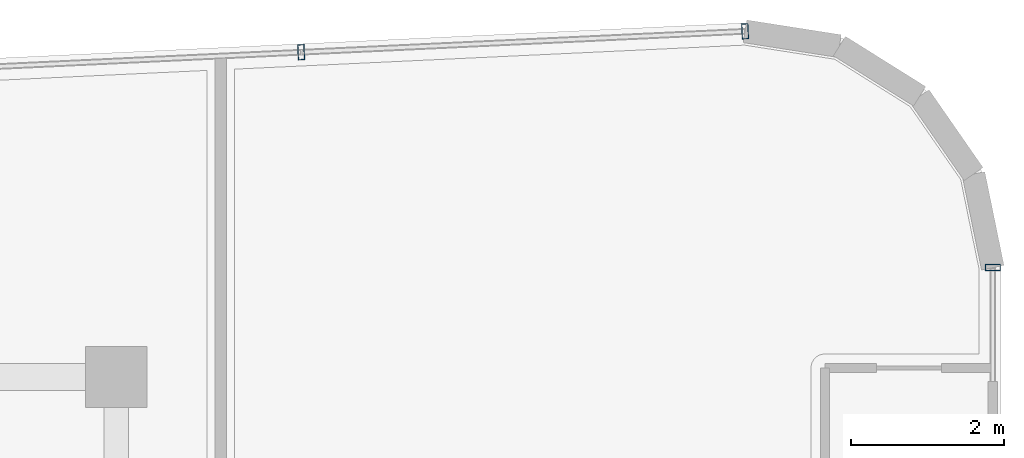
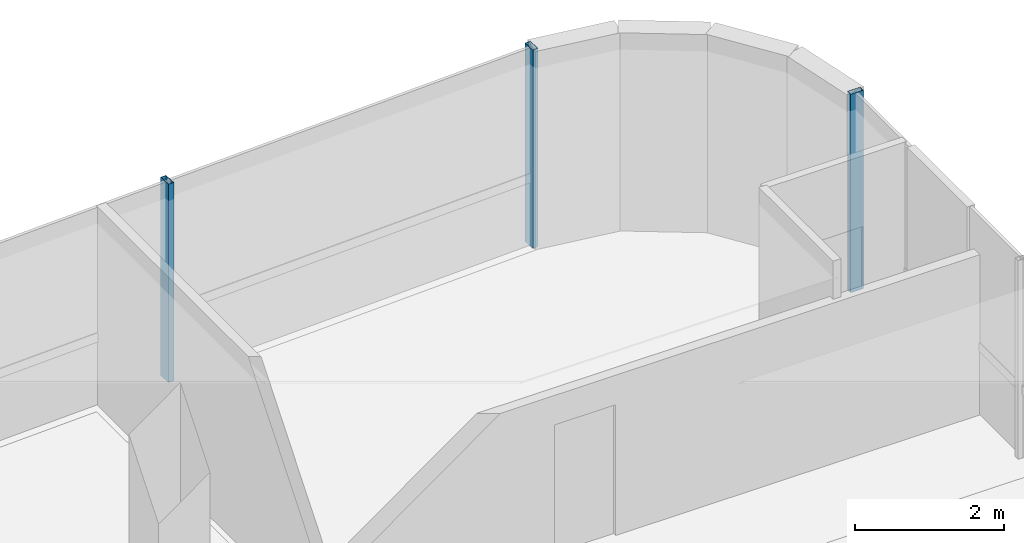
# One storey, part 12 of 20: 3 members, 2 elements without a shape of their own.
"""IFC4 building model written with IfcOpenShell, lengths in metres."""

from ifc_helpers import new_model, si_unit, direction, frame, origin, origin_2d, place, context, subcontext, project, spatial, hollow_rectangle, extrude, source, transform, mapped, material, material_profile, profile_set, type_object, element, aggregate, save


model = new_model("IFC4")

# Units and contexts
model_context = context("Model", 3, precision=1e-05, world=origin(), true_north=direction((0.0, 1.0)))
body_context = subcontext(model_context, "Body", "Model", "MODEL_VIEW")
ifc_project = project(units=[si_unit("LENGTHUNIT", "METRE"), si_unit("AREAUNIT", "SQUARE_METRE"), si_unit("VOLUMEUNIT", "CUBIC_METRE"), si_unit("PLANEANGLEUNIT", "RADIAN"), si_unit("MASSUNIT", "GRAM", prefix="KILO")], contexts=[model_context])

# Site, building, storey
site_placement = place(None, origin())
site = spatial("IfcSite", under=ifc_project, at=site_placement, CompositionType="ELEMENT")
building_placement = place(site_placement, origin())
building = spatial("IfcBuilding", under=site, at=building_placement, Name="Valdorenza Pilgrim Sanctuary Tower", CompositionType="ELEMENT")
storey_placement = place(building_placement, frame((0.0, 0.0, 244.0)))
storey = spatial("IfcBuildingStorey", under=building, at=storey_placement, Name="L63", CompositionType="ELEMENT", Elevation=244.0)

# Curtain wall, members
ifc_material_1 = material(Name="Curtain-wall IGU glazing", Category="glass")
curtain_wall_type = type_object("IfcCurtainWallType", Name="CW-SYS-02", PredefinedType="NOTDEFINED", material=ifc_material_1)
curtain_wall_1_placement = place(storey_placement, origin())
curtain_wall_1 = element("IfcCurtainWall", 1, at=curtain_wall_1_placement, inside=storey, type_object=curtain_wall_type, Name="L63 Curtain Wall CW-L63-1-6", PredefinedType="NOTDEFINED")
ifc_material_2 = material(Name="Anodised aluminium AW-6060", Category="aluminium")
ifc_material_profile = material_profile(ifc_material_2, hollow_rectangle(XDim=0.0849609375, YDim=0.199951171875, WallThickness=0.0048828125, at=origin_2d()), Name="ALU-M 200x85x5")
ifc_profile_set = profile_set([ifc_material_profile], Name="Anodised aluminium AW-6060")
member_type = type_object("IfcMemberType", Name="CW-MUL-02", PredefinedType="MULLION", material=ifc_profile_set)
shared_shape = source(origin(), body_context, "Body", "SweptSolid", [
    extrude(hollow_rectangle(XDim=0.0849609375, YDim=0.199951171875, WallThickness=0.0048828125, at=origin_2d()), origin(), (0.0, 0.0, 1.0), 3.260009765625),
])
member_1_placement = place(storey_placement, frame((-9.976318359375, 19.057373046875, 0.0), z_axis=(0.0, 0.0, 1.0), x_axis=(0.998890696972, 0.047089016785, 0.0)))
member_1 = element("IfcMember", 2, at=member_1_placement, type_object=member_type, Name="CW-L63-1-6 Mullion 4", PredefinedType="MULLION", context=body_context, shape_type="MappedRepresentation", body=[
    mapped(shared_shape, transform((0.0, 0.0, 0.0), x_axis=(1.0, 0.0, 0.0), y_axis=(0.0, 1.0, 0.0), z_axis=(0.0, 0.0, 1.0), scale=1.0)),
])
member_2_placement = place(storey_placement, frame((-4.15673828125, 19.331787109375, 0.0), z_axis=(0.0, 0.0, 1.0), x_axis=(0.998890696972, 0.047089016785, 0.0)))
member_2 = element("IfcMember", 3, at=member_2_placement, type_object=member_type, Name="CW-L63-1-6 Mullion 5", PredefinedType="MULLION", context=body_context, shape_type="MappedRepresentation", body=[
    mapped(shared_shape, transform((0.0, 0.0, 0.0), x_axis=(1.0, 0.0, 0.0), y_axis=(0.0, 1.0, 0.0), z_axis=(0.0, 0.0, 1.0), scale=1.0)),
])
aggregate(curtain_wall_1, [member_1, member_2])

# Curtain wall, member
curtain_wall_2_placement = place(storey_placement, origin())
curtain_wall_2 = element("IfcCurtainWall", 4, at=curtain_wall_2_placement, inside=storey, type_object=curtain_wall_type, Name="L63 Curtain Wall CW-L63-1-11", PredefinedType="NOTDEFINED")
member_3_placement = place(storey_placement, frame((-0.909912109375, 16.234375, 0.0), z_axis=(0.0, 0.0, 1.0), x_axis=(0.0, -1.0, 0.0)))
member_3 = element("IfcMember", 5, at=member_3_placement, type_object=member_type, Name="CW-L63-1-11 Mullion 1", PredefinedType="MULLION", context=body_context, shape_type="MappedRepresentation", body=[
    mapped(shared_shape, transform((0.0, 0.0, 0.0), x_axis=(1.0, 0.0, 0.0), y_axis=(0.0, 1.0, 0.0), z_axis=(0.0, 0.0, 1.0), scale=1.0)),
])
aggregate(curtain_wall_2, [member_3])

save(model, "model.ifc")
